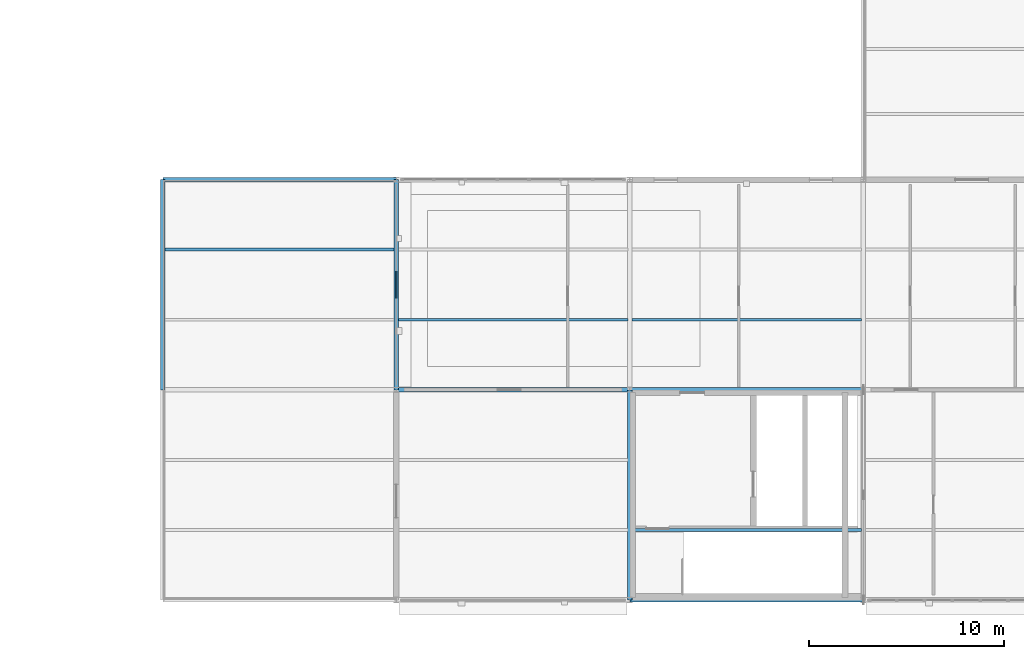
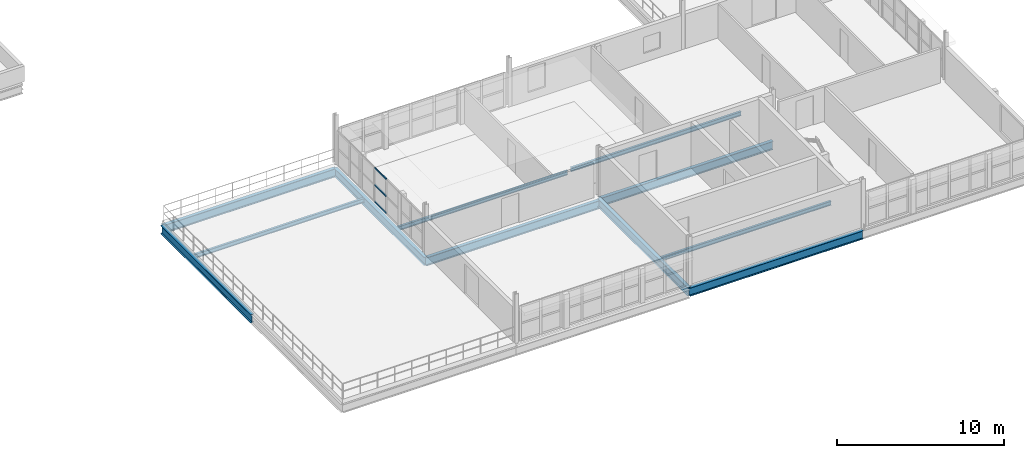
# One storey, part 30 of 62: 11 beams, 3 members, 1 element without a shape of its own.
"""IFC4 building model written with IfcOpenShell, lengths in metres."""

from ifc_helpers import new_model, si_unit, direction, frame, origin, origin_2d, place, context, subcontext, project, spatial, rectangle, i_section, extrude, material, layer, layer_set, material_profile, profile_set, type_object, element, aggregate, save


model = new_model("IFC4")

# Units and contexts
model_context = context("Model", 3, precision=1e-05, world=origin(), true_north=direction((0.0, 1.0)))
body_context = subcontext(model_context, "Body", "Model", "MODEL_VIEW")
ifc_project = project(units=[si_unit("LENGTHUNIT", "METRE"), si_unit("AREAUNIT", "SQUARE_METRE"), si_unit("VOLUMEUNIT", "CUBIC_METRE"), si_unit("PLANEANGLEUNIT", "RADIAN"), si_unit("MASSUNIT", "GRAM", prefix="KILO"), si_unit("THERMODYNAMICTEMPERATUREUNIT", "KELVIN"), si_unit("POWERUNIT", "WATT")], contexts=[model_context])

# Site, building, storey
site_placement = place(None, origin())
site = spatial("IfcSite", under=ifc_project, at=site_placement, CompositionType="ELEMENT")
building_placement = place(site_placement, origin())
building = spatial("IfcBuilding", under=site, at=building_placement, Name="Tembeka Court Mobility Hub", CompositionType="ELEMENT")
storey_placement = place(building_placement, frame((0.0, 0.0, 16.199951171875)))
storey = spatial("IfcBuildingStorey", under=building, at=storey_placement, Name="L04", CompositionType="ELEMENT", Elevation=16.199951171875)

# Beams
ifc_material_1 = material(Name="Steel S355", Category="steel")
ifc_material_profile_1 = material_profile(ifc_material_1, i_section(OverallWidth=0.22900390625, OverallDepth=0.612060546875, WebThickness=0.011962890625, FlangeThickness=0.01953125, FilletRadius=0.0126953125, at=origin_2d()), Name="UKB 610x229x125")
ifc_profile_set_1 = profile_set([ifc_material_profile_1], Name="Steel S355")
beam_type_1 = type_object("IfcBeamType", Name="BM-G02", PredefinedType="USERDEFINED", material=ifc_profile_set_1)
for number, where, z_axis, x_axis, name in (
    (1, (152.39990234375, 0.0, -0.495849609375), (1.0, 0.0, 0.0), (0.0, 1.0, 0.0), "Beam G02 (BM-L04-X2197)"),
    (2, (140.39990234375, 10.800048828125, -0.6259765625), (1.0, 0.0, 0.0), (0.0, 1.0, 0.0), "Beam G02 (BM-L04-X2203)"),
    (3, (152.39990234375, 10.800048828125, -0.495849609375), (1.0, 0.0, 0.0), (0.0, 1.0, 0.0), "Beam G02 (BM-L04-X2204)"),
    (4, (128.39990234375, 21.60009765625, -0.6259765625), (1.0, 0.0, 0.0), (0.0, 1.0, 0.0), "Beam G02 (BM-L04-X2217)"),
):
    element("IfcBeam", number, at=place(storey_placement, frame(where, z_axis=z_axis, x_axis=x_axis)), inside=storey, type_object=beam_type_1, Name=name, ObjectType="GIRDER", PredefinedType="USERDEFINED", context=body_context, shape_type="SweptSolid", body=[
        extrude(i_section(OverallWidth=0.22900390625, OverallDepth=0.612060546875, WebThickness=0.011962890625, FlangeThickness=0.01953125, FilletRadius=0.0126953125, at=origin_2d()), origin(), (0.0, 0.0, 1.0), 12.0),
    ])
for number, where, z_axis, x_axis, name in (
    (5, (128.39990234375, 10.800048828125, -0.6259765625), (0.0, 1.0, 0.0), (-1.0, 0.0, 0.0), "Beam G02 (BM-L04-Y2420)"),
    (6, (140.39990234375, 10.800048828125, -0.6259765625), (0.0, 1.0, 0.0), (-1.0, 0.0, 0.0), "Beam G02 (BM-L04-Y2423)"),
    (7, (152.39990234375, 0.0, -0.495849609375), (0.0, 1.0, 0.0), (-1.0, 0.0, 0.0), "Beam G02 (BM-L04-Y2424)"),
):
    element("IfcBeam", number, at=place(storey_placement, frame(where, z_axis=z_axis, x_axis=x_axis)), inside=storey, type_object=beam_type_1, Name=name, ObjectType="GIRDER", PredefinedType="USERDEFINED", context=body_context, shape_type="SweptSolid", body=[
        extrude(i_section(OverallWidth=0.22900390625, OverallDepth=0.612060546875, WebThickness=0.011962890625, FlangeThickness=0.01953125, FilletRadius=0.0126953125, at=origin_2d()), origin(), (0.0, 0.0, 1.0), 10.800048828125),
    ])
ifc_material_profile_2 = material_profile(ifc_material_1, i_section(OverallWidth=0.14990234375, OverallDepth=0.300048828125, WebThickness=0.007080078125, FlangeThickness=0.0107421875, FilletRadius=0.014892578125, at=origin_2d()), Name="IPE 300")
ifc_profile_set_2 = profile_set([ifc_material_profile_2], Name="Steel S355")
beam_type_2 = type_object("IfcBeamType", Name="BM-J04", PredefinedType="JOIST", material=ifc_profile_set_2)
for number, where, z_axis, x_axis, name in (
    (8, (128.509521484375, 18.0, -0.469970703125), (1.0, 0.0, 0.0), (0.0, 1.0, 0.0), "Beam J04 (JST-L04-2637)"),
    (9, (140.509521484375, 14.39990234375, -0.469970703125), (1.0, 0.0, 0.0), (0.0, 1.0, 0.0), "Beam J04 (JST-L04-2640)"),
    (10, (152.509521484375, 3.60009765625, -0.33984375), (1.0, 0.0, 0.0), (0.0, 1.0, 0.0), "Beam J04 (JST-L04-2642)"),
    (11, (152.509521484375, 14.39990234375, -0.33984375), (1.0, 0.0, 0.0), (0.0, 1.0, 0.0), "Beam J04 (JST-L04-2643)"),
):
    element("IfcBeam", number, at=place(storey_placement, frame(where, z_axis=z_axis, x_axis=x_axis)), inside=storey, type_object=beam_type_2, Name=name, PredefinedType="JOIST", context=body_context, shape_type="SweptSolid", body=[
        extrude(i_section(OverallWidth=0.14990234375, OverallDepth=0.300048828125, WebThickness=0.007080078125, FlangeThickness=0.0107421875, FilletRadius=0.014892578125, at=origin_2d()), origin(), (0.0, 0.0, 1.0), 11.781005859375),
    ])

# Curtain wall, members
ifc_material_2 = material(Name="Anodised aluminium 6063-T6", Category="aluminium")
ifc_layer = layer(ifc_material_2, 0.159912109375)
ifc_layer_set = layer_set([ifc_layer], Name="Anodised aluminium 6063-T6")
curtain_wall_type = type_object("IfcCurtainWallType", Name="CW-SYS42", PredefinedType="USERDEFINED", material=ifc_layer_set)
curtain_wall_placement = place(storey_placement, origin())
curtain_wall = element("IfcCurtainWall", 12, at=curtain_wall_placement, inside=storey, type_object=curtain_wall_type, Name="Unitised curtain wall CW42 (CW-L04-148)", ObjectType="UNITISED GLAZING", PredefinedType="USERDEFINED")
ifc_material_profile_3 = material_profile(ifc_material_2, rectangle(XDim=0.06494140625, YDim=0.1201171875, at=origin_2d()), Name="ALU-TRN 65x120")
ifc_profile_set_3 = profile_set([ifc_material_profile_3], Name="Anodised aluminium 6063-T6")
member_type = type_object("IfcMemberType", Name="CW-TRN01", PredefinedType="USERDEFINED", material=ifc_profile_set_3)
member_1_placement = place(storey_placement, frame((140.39990234375, 15.5009765625, 0.032470703125), z_axis=(0.0, 1.0, 0.0), x_axis=(-1.0, 0.0, 0.0)))
member_1 = element("IfcMember", 13, at=member_1_placement, type_object=member_type, Name="CW42 transom 4.1", ObjectType="TRANSOM", PredefinedType="USERDEFINED", context=body_context, shape_type="SweptSolid", body=[
    extrude(rectangle(XDim=0.06494140625, YDim=0.1201171875, at=origin_2d()), origin(), (0.0, 0.0, 1.0), 1.39794921875),
])
member_2_placement = place(storey_placement, frame((140.39990234375, 15.5009765625, 1.267578125), z_axis=(0.0, 1.0, 0.0), x_axis=(-1.0, 0.0, 0.0)))
member_2 = element("IfcMember", 14, at=member_2_placement, type_object=member_type, Name="CW42 transom 4.2", ObjectType="TRANSOM", PredefinedType="USERDEFINED", context=body_context, shape_type="SweptSolid", body=[
    extrude(rectangle(XDim=0.06494140625, YDim=0.1201171875, at=origin_2d()), origin(), (0.0, 0.0, 1.0), 1.39794921875),
])
member_3_placement = place(storey_placement, frame((140.39990234375, 15.5009765625, 2.50244140625), z_axis=(0.0, 1.0, 0.0), x_axis=(-1.0, 0.0, 0.0)))
member_3 = element("IfcMember", 15, at=member_3_placement, type_object=member_type, Name="CW42 transom 4.3", ObjectType="TRANSOM", PredefinedType="USERDEFINED", context=body_context, shape_type="SweptSolid", body=[
    extrude(rectangle(XDim=0.06494140625, YDim=0.1201171875, at=origin_2d()), origin(), (0.0, 0.0, 1.0), 1.39794921875),
])
aggregate(curtain_wall, [member_1, member_2, member_3])

save(model, "model.ifc")
